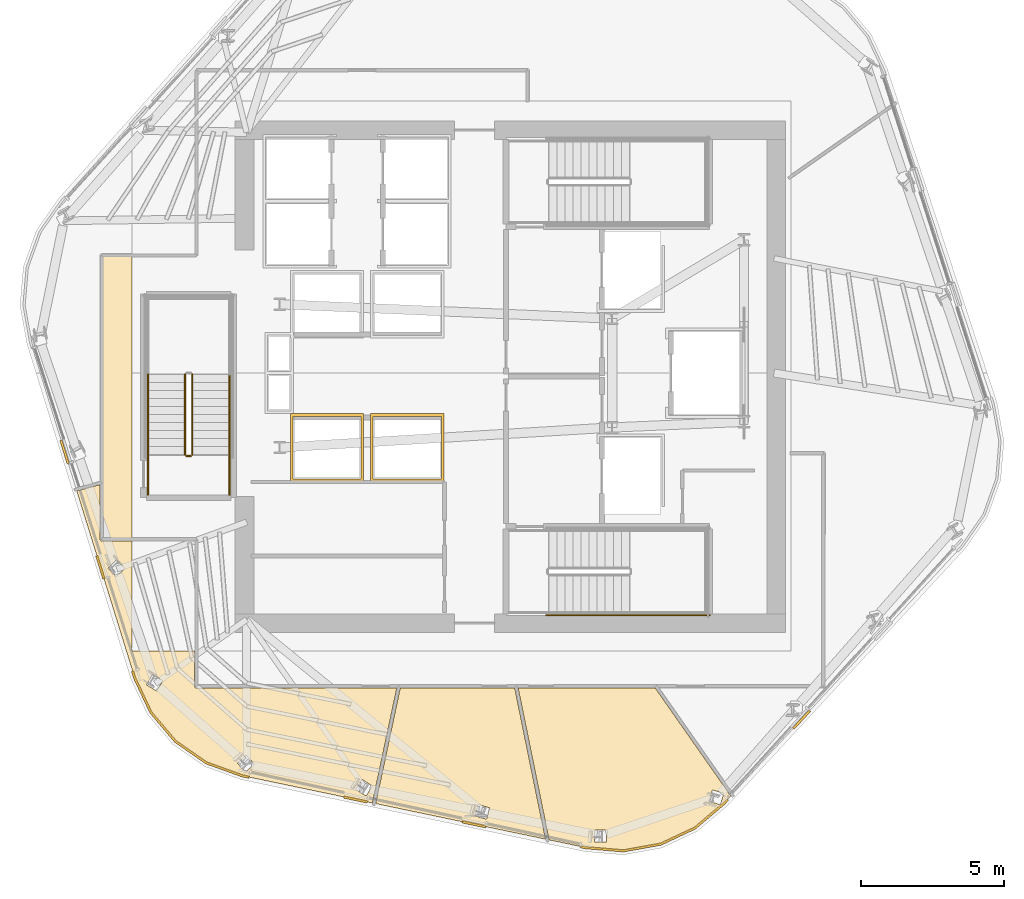
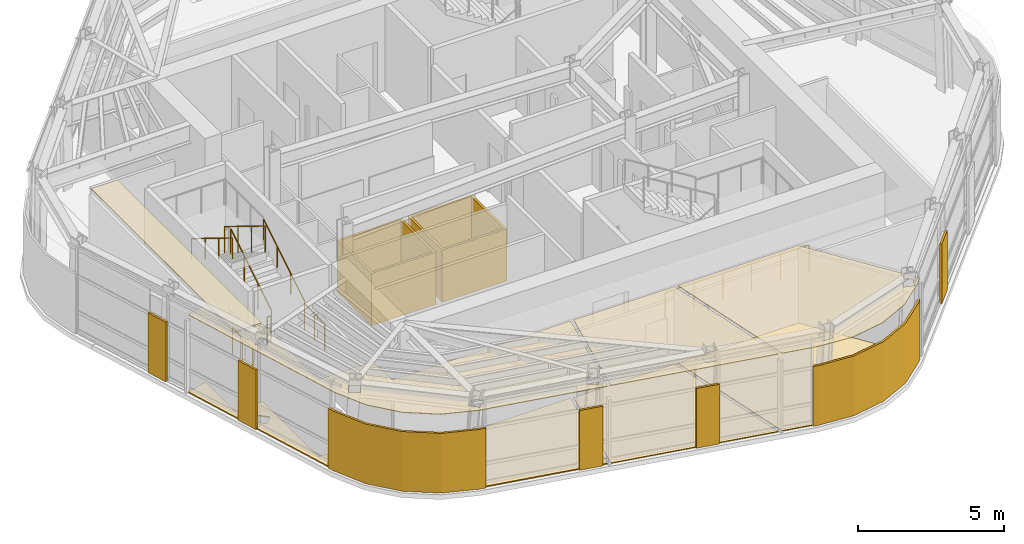
# One storey, part 9 of 13: 16 coverings, 8 railings.
"""IFC4 building model written with IfcOpenShell, lengths in metres."""

from ifc_helpers import new_model, si_unit, direction, frame, origin, origin_2d, place, context, subcontext, project, spatial, polyline, circle, outline, extrude, material, layer, layer_set, type_object, element, save


model = new_model("IFC4")

# Units and contexts
model_context = context("Model", 3, precision=1e-05, world=origin(), true_north=direction((0.0, 1.0)))
body_context = subcontext(model_context, "Body", "Model", "MODEL_VIEW")
ifc_project = project(units=[si_unit("LENGTHUNIT", "METRE"), si_unit("AREAUNIT", "SQUARE_METRE"), si_unit("VOLUMEUNIT", "CUBIC_METRE"), si_unit("PLANEANGLEUNIT", "RADIAN"), si_unit("MASSUNIT", "GRAM", prefix="KILO")], contexts=[model_context])

# Site, building, storey
site_placement = place(None, origin())
site = spatial("IfcSite", under=ifc_project, at=site_placement, CompositionType="ELEMENT")
building_placement = place(site_placement, origin())
building = spatial("IfcBuilding", under=site, at=building_placement, Name="Valkerne Bourse Tower", CompositionType="ELEMENT")
storey_placement = place(building_placement, frame((0.0, 0.0, 228.39990234375)))
storey = spatial("IfcBuildingStorey", under=building, at=storey_placement, Name="L58", CompositionType="ELEMENT", Elevation=228.39990234375)

# Coverings
ifc_material_1 = material(Name="Mineral Fiber Acoustic Ceiling Tile", Category="acoustic")
ifc_layer_1 = layer(ifc_material_1, 0.02490234375)
ifc_layer_set_1 = layer_set([ifc_layer_1], Name="Mineral Fiber Acoustic Ceiling Tile")
covering_type_1 = type_object("IfcCoveringType", Name="COV-CEIL-ACT", PredefinedType="CEILING", material=ifc_layer_set_1)
covering_1_placement = place(storey_placement, frame((0.0, 0.0, 3.25)))
element("IfcCovering", 1, at=covering_1_placement, inside=storey, type_object=covering_type_1, Name="L58 Suspended Ceiling 04", PredefinedType="CEILING", context=body_context, shape_type="SweptSolid", body=[
    extrude(outline(polyline([(46.95166015625, 16.010986328125), (48.02490234375, 10.736083984375), (42.100830078125, 11.976806640625), (42.958251953125, 16.010986328125), (46.95166015625, 16.010986328125)]), holes=[polyline([(45.68701171875, 11.94287109375), (45.684814453125, 11.943115234375), (45.569580078125, 11.547607421875), (45.96630859375, 11.431396484375), (45.96875, 11.431396484375), (46.083984375, 11.82666015625), (45.68701171875, 11.94287109375)])]), origin(), (0.0, 0.0, 1.0), 0.025146484375),
])
covering_2_placement = place(storey_placement, frame((0.0, 0.0, 3.25)))
element("IfcCovering", 2, at=covering_2_placement, inside=storey, type_object=covering_type_1, Name="L58 Suspended Ceiling 05", PredefinedType="CEILING", context=body_context, shape_type="SweptSolid", body=[
    extrude(outline(polyline([(52.044677734375, 10.56640625), (50.74609375, 10.33251953125), (49.4208984375, 10.44384765625), (48.150634765625, 10.7099609375), (47.072021484375, 16.010986328125), (51.852294921875, 16.010986328125), (54.4912109375, 12.242431640625), (54.254150390625, 11.986328125), (53.238525390625, 11.128173828125), (52.044677734375, 10.56640625)]), holes=[polyline([(50.1669921875, 11.0458984375), (49.75390625, 11.057373046875), (49.75146484375, 11.056884765625), (49.740234375, 10.645263671875), (50.153564453125, 10.6337890625), (50.156005859375, 10.63427734375), (50.1669921875, 11.0458984375)]), polyline([(54.247314453125, 12.33349609375), (53.853515625, 12.452392578125), (53.851318359375, 12.451416015625), (53.732666015625, 12.0546875), (54.12646484375, 11.935791015625), (54.128662109375, 11.93701171875), (54.247314453125, 12.33349609375)])]), origin(), (0.0, 0.0, 1.0), 0.025146484375),
])
covering_3_placement = place(storey_placement, frame((0.0, 0.0, 3.25)))
element("IfcCovering", 3, at=covering_3_placement, inside=storey, type_object=covering_type_1, Name="L58 Suspended Ceiling 06", PredefinedType="CEILING", context=body_context, shape_type="SweptSolid", body=[
    extrude(outline(polyline([(35.11181640625, 14.15478515625), (34.260009765625, 15.16259765625), (33.694580078125, 16.36474609375), (31.672607421875, 22.885498046875), (32.48095703125, 23.102294921875), (32.48095703125, 21.199462890625), (32.490966796875, 21.1640625), (32.520751953125, 21.137451171875), (32.549560546875, 21.131103515625), (33.60009765625, 21.131103515625), (33.60009765625, 17.300048828125), (35.781005859375, 17.300048828125), (35.781005859375, 16.07958984375), (35.790283203125, 16.044921875), (35.814208984375, 16.02099609375), (35.849365234375, 16.010986328125), (42.837646484375, 16.010986328125), (41.9853515625, 12.0009765625), (37.4453125, 12.95166015625), (36.1953125, 13.40185546875), (35.11181640625, 14.15478515625)]), holes=[polyline([(41.634521484375, 12.812744140625), (41.632568359375, 12.8134765625), (41.414306640625, 12.46435546875), (41.7646484375, 12.244873046875), (41.766845703125, 12.243896484375), (41.985107421875, 12.59326171875), (41.634521484375, 12.812744140625)]), polyline([(37.581787109375, 13.66162109375), (37.579833984375, 13.662841796875), (37.2802734375, 13.38037109375), (37.5634765625, 13.0791015625), (37.5654296875, 13.077880859375), (37.865234375, 13.3603515625), (37.581787109375, 13.66162109375)]), polyline([(34.669677734375, 16.261474609375), (34.3193359375, 16.476318359375), (34.102294921875, 16.12353515625), (34.103759765625, 16.121826171875), (34.4541015625, 15.90673828125), (34.67138671875, 16.259521484375), (34.669677734375, 16.261474609375)]), polyline([(33.343505859375, 20.18212890625), (33.05908203125, 20.47900390625), (32.759521484375, 20.19287109375), (32.760498046875, 20.19091796875), (33.044921875, 19.893798828125), (33.344482421875, 20.18017578125), (33.343505859375, 20.18212890625)])]), origin(), (0.0, 0.0, 1.0), 0.025146484375),
])
ifc_material_2 = material(Name="Bronze Anodised Aluminium AA 6063-T6", Category="aluminium")
ifc_layer_2 = layer(ifc_material_2, 0.030029296875)
ifc_layer_set_2 = layer_set([ifc_layer_2], Name="Bronze Anodised Aluminium AA 6063-T6")
covering_type_2 = type_object("IfcCoveringType", Name="COV-CEIL-METAL", PredefinedType="CEILING", material=ifc_layer_set_2)
covering_4_placement = place(storey_placement, frame((0.0, 0.0, 3.25)))
element("IfcCovering", 4, at=covering_4_placement, inside=storey, type_object=covering_type_2, Name="L58 Suspended Ceiling 02", PredefinedType="CEILING", context=body_context, shape_type="SweptSolid", body=[
    extrude(outline(polyline([(32.553955078125, 21.2041015625), (32.553955078125, 31.095947265625), (33.60009765625, 31.095947265625), (33.60009765625, 21.2041015625), (32.553955078125, 21.2041015625)])), origin(), (0.0, 0.0, 1.0), 0.025146484375),
])
ifc_layer_3 = layer(ifc_material_2, 0.06005859375)
ifc_layer_set_3 = layer_set([ifc_layer_3], Name="Bronze Anodised Aluminium AA 6063-T6")
covering_type_3 = type_object("IfcCoveringType", Name="COV-CRN-ALUM", PredefinedType="CLADDING", material=ifc_layer_set_3)
covering_5_placement = place(storey_placement, origin())
element("IfcCovering", 5, at=covering_5_placement, inside=storey, type_object=covering_type_3, Name="L58 Wind-Shaped Corner Aluminium Cladding 03", PredefinedType="CLADDING", context=body_context, shape_type="SweptSolid", body=[
    extrude(outline(polyline([(56.70556640625, 14.5712890625), (56.646484375, 14.625244140625), (57.216796875, 15.24169921875), (57.27587890625, 15.18798828125), (56.70556640625, 14.5712890625)])), origin(), (0.0, 0.0, 1.0), 2.5),
])
covering_6_placement = place(storey_placement, origin())
element("IfcCovering", 6, at=covering_6_placement, inside=storey, type_object=covering_type_3, Name="L58 Wind-Shaped Corner Aluminium Cladding 04", PredefinedType="CLADDING", context=body_context, shape_type="SweptSolid", body=[
    extrude(outline(polyline([(54.28466796875, 11.95458984375), (53.2626953125, 11.0908203125), (52.05810546875, 10.52392578125), (50.748046875, 10.288330078125), (49.41455078125, 10.400146484375), (49.225830078125, 10.439697265625), (49.242919921875, 10.517822265625), (49.42626953125, 10.4794921875), (50.744140625, 10.368896484375), (52.03369140625, 10.600830078125), (53.218994140625, 11.15869140625), (54.229248046875, 12.012451171875), (54.3564453125, 12.14990234375), (54.41552734375, 12.09619140625), (54.28466796875, 11.95458984375)])), origin(), (0.0, 0.0, 1.0), 2.5),
])
covering_7_placement = place(storey_placement, origin())
element("IfcCovering", 7, at=covering_7_placement, inside=storey, type_object=covering_type_3, Name="L58 Wind-Shaped Corner Aluminium Cladding 05", PredefinedType="CLADDING", context=body_context, shape_type="SweptSolid", body=[
    extrude(outline(polyline([(45.103271484375, 11.302978515625), (45.1201171875, 11.38134765625), (45.9423828125, 11.208984375), (45.92529296875, 11.130859375), (45.103271484375, 11.302978515625)])), origin(), (0.0, 0.0, 1.0), 2.5),
])
covering_8_placement = place(storey_placement, origin())
element("IfcCovering", 8, at=covering_8_placement, inside=storey, type_object=covering_type_3, Name="L58 Wind-Shaped Corner Aluminium Cladding 06", PredefinedType="CLADDING", context=body_context, shape_type="SweptSolid", body=[
    extrude(outline(polyline([(40.98046875, 12.16650390625), (40.997314453125, 12.24462890625), (41.819580078125, 12.072509765625), (41.802490234375, 11.994384765625), (40.98046875, 12.16650390625)])), origin(), (0.0, 0.0, 1.0), 2.5),
])
covering_9_placement = place(storey_placement, origin())
element("IfcCovering", 9, at=covering_9_placement, inside=storey, type_object=covering_type_3, Name="L58 Wind-Shaped Corner Aluminium Cladding 07", PredefinedType="CLADDING", context=body_context, shape_type="SweptSolid", body=[
    extrude(outline(polyline([(37.43310546875, 12.9091796875), (36.175048828125, 13.3623046875), (35.081787109375, 14.1220703125), (34.22265625, 15.138671875), (33.6533203125, 16.348876953125), (33.57861328125, 16.589599609375), (33.65478515625, 16.61376953125), (33.72802734375, 16.377685546875), (34.29052734375, 15.182373046875), (35.13623046875, 14.181640625), (36.2119140625, 13.43408203125), (37.455078125, 12.986328125), (37.697021484375, 12.935791015625), (37.6796875, 12.857666015625), (37.43310546875, 12.9091796875)])), origin(), (0.0, 0.0, 1.0), 2.5),
])
covering_10_placement = place(storey_placement, origin())
element("IfcCovering", 10, at=covering_10_placement, inside=storey, type_object=covering_type_3, Name="L58 Wind-Shaped Corner Aluminium Cladding 08", PredefinedType="CLADDING", context=body_context, shape_type="SweptSolid", body=[
    extrude(outline(polyline([(32.331298828125, 20.612548828125), (32.407470703125, 20.636962890625), (32.65625, 19.834716796875), (32.580078125, 19.810302734375), (32.331298828125, 20.612548828125)])), origin(), (0.0, 0.0, 1.0), 2.5),
])
covering_11_placement = place(storey_placement, origin())
element("IfcCovering", 11, at=covering_11_placement, inside=storey, type_object=covering_type_3, Name="L58 Wind-Shaped Corner Aluminium Cladding 09", PredefinedType="CLADDING", context=body_context, shape_type="SweptSolid", body=[
    extrude(outline(polyline([(31.083740234375, 24.635986328125), (31.159912109375, 24.66015625), (31.40869140625, 23.85791015625), (31.33251953125, 23.83349609375), (31.083740234375, 24.635986328125)])), origin(), (0.0, 0.0, 1.0), 2.5),
])
ifc_material_3 = material(Name="Galvanised Painted Steel", Category="steel")
ifc_layer_4 = layer(ifc_material_3, 0.044921875)
ifc_layer_set_4 = layer_set([ifc_layer_4], Name="Galvanised Painted Steel")
covering_type_4 = type_object("IfcCoveringType", Name="COV-FLR-RAF", PredefinedType="FLOORING", material=ifc_layer_set_4)
covering_12_placement = place(storey_placement, origin())
element("IfcCovering", 12, at=covering_12_placement, inside=storey, type_object=covering_type_4, Name="L58 Floor Finish 06", PredefinedType="FLOORING", context=body_context, shape_type="SweptSolid", body=[
    extrude(outline(polyline([(35.11181640625, 14.15478515625), (34.260009765625, 15.16259765625), (33.694580078125, 16.36474609375), (31.672607421875, 22.885498046875), (32.48095703125, 23.102294921875), (32.48095703125, 21.199462890625), (32.490966796875, 21.1640625), (32.520751953125, 21.137451171875), (32.549560546875, 21.131103515625), (33.60009765625, 21.131103515625), (33.60009765625, 17.300048828125), (35.781005859375, 17.300048828125), (35.781005859375, 16.07958984375), (35.790283203125, 16.044921875), (35.814208984375, 16.02099609375), (35.849365234375, 16.010986328125), (42.837646484375, 16.010986328125), (41.9853515625, 12.0009765625), (37.4453125, 12.95166015625), (36.1953125, 13.40185546875), (35.11181640625, 14.15478515625)]), holes=[polyline([(41.634521484375, 12.812744140625), (41.632568359375, 12.8134765625), (41.414306640625, 12.46435546875), (41.7646484375, 12.244873046875), (41.766845703125, 12.243896484375), (41.985107421875, 12.59326171875), (41.634521484375, 12.812744140625)]), polyline([(37.581787109375, 13.66162109375), (37.579833984375, 13.662841796875), (37.2802734375, 13.38037109375), (37.5634765625, 13.0791015625), (37.5654296875, 13.077880859375), (37.865234375, 13.3603515625), (37.581787109375, 13.66162109375)]), polyline([(34.669677734375, 16.261474609375), (34.3193359375, 16.476318359375), (34.102294921875, 16.12353515625), (34.103759765625, 16.121826171875), (34.4541015625, 15.90673828125), (34.67138671875, 16.259521484375), (34.669677734375, 16.261474609375)]), polyline([(33.343505859375, 20.18212890625), (33.05908203125, 20.47900390625), (32.759521484375, 20.19287109375), (32.760498046875, 20.19091796875), (33.044921875, 19.893798828125), (33.344482421875, 20.18017578125), (33.343505859375, 20.18212890625)])]), origin(), (0.0, 0.0, 1.0), 0.045166015625),
])
ifc_material_4 = material(Name="Polished Granite Stone", Category="masonry")
ifc_layer_5 = layer(ifc_material_4, 0.030029296875)
ifc_layer_set_5 = layer_set([ifc_layer_5], Name="Polished Granite Stone")
covering_type_5 = type_object("IfcCoveringType", Name="COV-FLR-TERRAZZO", PredefinedType="FLOORING", material=ifc_layer_set_5)
covering_13_placement = place(storey_placement, origin())
element("IfcCovering", 13, at=covering_13_placement, inside=storey, type_object=covering_type_5, Name="L58 Floor Finish 04", PredefinedType="FLOORING", context=body_context, shape_type="SweptSolid", body=[
    extrude(outline(polyline([(46.95166015625, 16.010986328125), (48.02490234375, 10.736083984375), (42.100830078125, 11.976806640625), (42.958251953125, 16.010986328125), (46.95166015625, 16.010986328125)]), holes=[polyline([(45.68701171875, 11.94287109375), (45.684814453125, 11.943115234375), (45.569580078125, 11.547607421875), (45.96630859375, 11.431396484375), (45.96875, 11.431396484375), (46.083984375, 11.82666015625), (45.68701171875, 11.94287109375)])]), origin(), (0.0, 0.0, 1.0), 0.030029296875),
])
covering_14_placement = place(storey_placement, origin())
element("IfcCovering", 14, at=covering_14_placement, inside=storey, type_object=covering_type_5, Name="L58 Floor Finish 05", PredefinedType="FLOORING", context=body_context, shape_type="SweptSolid", body=[
    extrude(outline(polyline([(52.044677734375, 10.56640625), (50.74609375, 10.33251953125), (49.4208984375, 10.44384765625), (48.150634765625, 10.7099609375), (47.072021484375, 16.010986328125), (51.852294921875, 16.010986328125), (54.4912109375, 12.242431640625), (54.254150390625, 11.986328125), (53.238525390625, 11.128173828125), (52.044677734375, 10.56640625)]), holes=[polyline([(50.1669921875, 11.0458984375), (49.75390625, 11.057373046875), (49.75146484375, 11.056884765625), (49.740234375, 10.645263671875), (50.153564453125, 10.6337890625), (50.156005859375, 10.63427734375), (50.1669921875, 11.0458984375)]), polyline([(54.247314453125, 12.33349609375), (53.853515625, 12.452392578125), (53.851318359375, 12.451416015625), (53.732666015625, 12.0546875), (54.12646484375, 11.935791015625), (54.128662109375, 11.93701171875), (54.247314453125, 12.33349609375)])]), origin(), (0.0, 0.0, 1.0), 0.030029296875),
])
ifc_material_5 = material(Name="Gypsum Shaftwall Liner Board", Category="gypsum")
ifc_layer_6 = layer(ifc_material_5, 0.080078125)
ifc_layer_set_6 = layer_set([ifc_layer_6], Name="Gypsum Shaftwall Liner Board")
covering_type_6 = type_object("IfcCoveringType", Name="COV-SHF-CLAD", PredefinedType="CLADDING", material=ifc_layer_set_6)
covering_15_placement = place(storey_placement, origin())
element("IfcCovering", 15, at=covering_15_placement, inside=storey, type_object=covering_type_6, Name="L58 Hoistway & Riser Shaftwall Liner 01", PredefinedType="CLADDING", context=body_context, shape_type="SweptSolid", body=[
    extrude(outline(polyline([(41.679931640625, 25.580078125), (41.679931640625, 23.219970703125), (39.1201171875, 23.219970703125), (39.1201171875, 25.580078125), (41.679931640625, 25.580078125)]), holes=[polyline([(41.590087890625, 25.489990234375), (39.2099609375, 25.489990234375), (39.2099609375, 23.31005859375), (41.590087890625, 23.31005859375), (41.590087890625, 25.489990234375)])]), origin(), (0.0, 0.0, 1.0), 2.18017578125),
])
covering_16_placement = place(storey_placement, origin())
element("IfcCovering", 16, at=covering_16_placement, inside=storey, type_object=covering_type_6, Name="L58 Hoistway & Riser Shaftwall Liner 02", PredefinedType="CLADDING", context=body_context, shape_type="SweptSolid", body=[
    extrude(outline(polyline([(44.47998046875, 23.219970703125), (41.919921875, 23.219970703125), (41.919921875, 25.580078125), (44.47998046875, 25.580078125), (44.47998046875, 23.219970703125)]), holes=[polyline([(42.010009765625, 25.489990234375), (42.010009765625, 23.31005859375), (44.389892578125, 23.31005859375), (44.389892578125, 25.489990234375), (42.010009765625, 25.489990234375)])]), origin(), (0.0, 0.0, 1.0), 2.18017578125),
])

# Railings
railing_type_1 = type_object("IfcRailingType", Name="RLG-ST-GUARD-1120", PredefinedType="GUARDRAIL", material=ifc_material_3)
railing_1_placement = place(storey_placement, frame((48.050048828125, 18.550048828125, 0.0)))
element("IfcRailing", 17, at=railing_1_placement, inside=storey, type_object=railing_type_1, Name="L58 ST-1 stair guard 10", PredefinedType="GUARDRAIL", context=body_context, shape_type="SweptSolid", body=[
    extrude(circle(Radius=0.02392578125, at=origin_2d()), frame((0.0, 0.0, 1.09619140625), z_axis=(1.0, 0.0, 0.0), x_axis=(0.0, 1.0, 0.0)), (0.0, 0.0, 1.0), 5.699951171875),
    extrude(circle(Radius=0.02099609375, at=origin_2d()), origin(), (0.0, 0.0, 1.0), 1.072021484375),
    extrude(circle(Radius=0.02099609375, at=origin_2d()), frame((1.139892578125, 0.0, 0.0)), (0.0, 0.0, 1.0), 1.072021484375),
    extrude(circle(Radius=0.02099609375, at=origin_2d()), frame((2.280029296875, 0.0, 0.0)), (0.0, 0.0, 1.0), 1.072021484375),
    extrude(circle(Radius=0.02099609375, at=origin_2d()), frame((3.419921875, 0.0, 0.0)), (0.0, 0.0, 1.0), 1.072021484375),
    extrude(circle(Radius=0.02099609375, at=origin_2d()), frame((4.56005859375, 0.0, 0.0)), (0.0, 0.0, 1.0), 1.072021484375),
    extrude(circle(Radius=0.02099609375, at=origin_2d()), frame((5.699951171875, 0.0, 0.0)), (0.0, 0.0, 1.0), 1.072021484375),
])
railing_2_placement = place(storey_placement, frame((35.699951171875, 24.14990234375, 0.1728515625)))
element("IfcRailing", 18, at=railing_2_placement, inside=storey, type_object=railing_type_1, Name="L58 ST-3 stair guard 1", PredefinedType="GUARDRAIL", context=body_context, shape_type="SweptSolid", body=[
    extrude(circle(Radius=0.02392578125, at=origin_2d()), frame((0.0, 0.0, 1.09619140625), z_axis=(0.0, 0.851089632645, 0.525020415988), x_axis=(-1.0, 0.0, 0.0)), (0.0, 0.0, 1.0), 3.2900390625),
    extrude(circle(Radius=0.02099609375, at=origin_2d()), origin(), (0.0, 0.0, 1.0), 1.072021484375),
    extrude(circle(Radius=0.02099609375, at=origin_2d()), frame((0.0, 0.933349609375, 0.57568359375)), (0.0, 0.0, 1.0), 1.072021484375),
    extrude(circle(Radius=0.02099609375, at=origin_2d()), frame((0.0, 1.86669921875, 1.151611328125)), (0.0, 0.0, 1.0), 1.072021484375),
    extrude(circle(Radius=0.02099609375, at=origin_2d()), frame((0.0, 2.800048828125, 1.727294921875)), (0.0, 0.0, 1.0), 1.072021484375),
])
railing_3_placement = place(storey_placement, frame((35.449951171875, 26.949951171875, 2.07275390625)))
element("IfcRailing", 19, at=railing_3_placement, inside=storey, type_object=railing_type_1, Name="L58 ST-3 stair guard 6", PredefinedType="GUARDRAIL", context=body_context, shape_type="SweptSolid", body=[
    extrude(circle(Radius=0.02392578125, at=origin_2d()), frame((0.0, 0.0, 1.09619140625), z_axis=(0.0, -0.851089632645, 0.525020415988), x_axis=(1.0, 0.0, 0.0)), (0.0, 0.0, 1.0), 3.2900390625),
    extrude(circle(Radius=0.02099609375, at=origin_2d()), origin(), (0.0, 0.0, 1.0), 1.072021484375),
    extrude(circle(Radius=0.02099609375, at=origin_2d()), frame((0.0, -0.933349609375, 0.57568359375)), (0.0, 0.0, 1.0), 1.072021484375),
    extrude(circle(Radius=0.02099609375, at=origin_2d()), frame((0.0, -1.86669921875, 1.151611328125)), (0.0, 0.0, 1.0), 1.072021484375),
    extrude(circle(Radius=0.02099609375, at=origin_2d()), frame((0.0, -2.800048828125, 1.727294921875)), (0.0, 0.0, 1.0), 1.072021484375),
])
railing_4_placement = place(storey_placement, frame((35.64990234375, 24.10009765625, 0.0)))
element("IfcRailing", 20, at=railing_4_placement, inside=storey, type_object=railing_type_1, Name="L58 ST-3 stair guard 7", PredefinedType="GUARDRAIL", context=body_context, shape_type="SweptSolid", body=[
    extrude(circle(Radius=0.02392578125, at=origin_2d()), frame((0.0, 0.0, 1.09619140625), z_axis=(-1.0, 0.0, 0.0), x_axis=(0.0, -1.0, 0.0)), (0.0, 0.0, 1.0), 0.14990234375),
    extrude(circle(Radius=0.02099609375, at=origin_2d()), origin(), (0.0, 0.0, 1.0), 1.072021484375),
    extrude(circle(Radius=0.02099609375, at=origin_2d()), frame((-0.14990234375, 0.0, 0.0)), (0.0, 0.0, 1.0), 1.072021484375),
])
for number, where, name in (
    (21, (37.0, 22.75, 0.0), "L58 ST-3 stair guard 8"),
    (22, (34.14990234375, 22.75, 0.0), "L58 ST-3 stair guard 9"),
):
    element("IfcRailing", number, at=place(storey_placement, frame(where)), inside=storey, type_object=railing_type_1, Name=name, PredefinedType="GUARDRAIL", context=body_context, shape_type="SweptSolid", body=[
        extrude(circle(Radius=0.02392578125, at=origin_2d()), frame((0.0, 0.0, 1.09619140625), z_axis=(0.0, 1.0, 0.0), x_axis=(-1.0, 0.0, 0.0)), (0.0, 0.0, 1.0), 1.39990234375),
        extrude(circle(Radius=0.02099609375, at=origin_2d()), origin(), (0.0, 0.0, 1.0), 1.072021484375),
        extrude(circle(Radius=0.02099609375, at=origin_2d()), frame((0.0, 0.699951171875, 0.0)), (0.0, 0.0, 1.0), 1.072021484375),
        extrude(circle(Radius=0.02099609375, at=origin_2d()), frame((0.0, 1.39990234375, 0.0)), (0.0, 0.0, 1.0), 1.072021484375),
    ])
ifc_material_6 = material(Name="Stainless Steel AISI 316", Category="steel")
railing_type_2 = type_object("IfcRailingType", Name="RLG-ST-HANDRAIL-900", PredefinedType="HANDRAIL", material=ifc_material_6)
railing_5_placement = place(storey_placement, frame((37.0, 24.14990234375, 0.345458984375)))
element("IfcRailing", 23, at=railing_5_placement, inside=storey, type_object=railing_type_2, Name="L58 ST-3 stair handrail 1", PredefinedType="HANDRAIL", context=body_context, shape_type="SweptSolid", body=[
    extrude(circle(Radius=0.02392578125, at=origin_2d()), frame((0.0, 0.0, 0.8759765625), z_axis=(0.0, 0.851089632645, 0.525020415988), x_axis=(-1.0, 0.0, 0.0)), (0.0, 0.0, 1.0), 3.2900390625),
    extrude(circle(Radius=0.02099609375, at=origin_2d()), origin(), (0.0, 0.0, 1.0), 0.851806640625),
    extrude(circle(Radius=0.02099609375, at=origin_2d()), frame((0.0, 0.933349609375, 0.57568359375)), (0.0, 0.0, 1.0), 0.851806640625),
    extrude(circle(Radius=0.02099609375, at=origin_2d()), frame((0.0, 1.86669921875, 1.151611328125)), (0.0, 0.0, 1.0), 0.851806640625),
    extrude(circle(Radius=0.02099609375, at=origin_2d()), frame((0.0, 2.800048828125, 1.727294921875)), (0.0, 0.0, 1.0), 0.851806640625),
])
railing_6_placement = place(storey_placement, frame((34.14990234375, 26.949951171875, 2.24560546875)))
element("IfcRailing", 24, at=railing_6_placement, inside=storey, type_object=railing_type_2, Name="L58 ST-3 stair handrail 2", PredefinedType="HANDRAIL", context=body_context, shape_type="SweptSolid", body=[
    extrude(circle(Radius=0.02392578125, at=origin_2d()), frame((0.0, 0.0, 0.8759765625), z_axis=(0.0, -0.851089632645, 0.525020415988), x_axis=(1.0, 0.0, 0.0)), (0.0, 0.0, 1.0), 3.2900390625),
    extrude(circle(Radius=0.02099609375, at=origin_2d()), origin(), (0.0, 0.0, 1.0), 0.851806640625),
    extrude(circle(Radius=0.02099609375, at=origin_2d()), frame((0.0, -0.933349609375, 0.57568359375)), (0.0, 0.0, 1.0), 0.851806640625),
    extrude(circle(Radius=0.02099609375, at=origin_2d()), frame((0.0, -1.86669921875, 1.151611328125)), (0.0, 0.0, 1.0), 0.851806640625),
    extrude(circle(Radius=0.02099609375, at=origin_2d()), frame((0.0, -2.800048828125, 1.727294921875)), (0.0, 0.0, 1.0), 0.851806640625),
])

save(model, "model.ifc")
